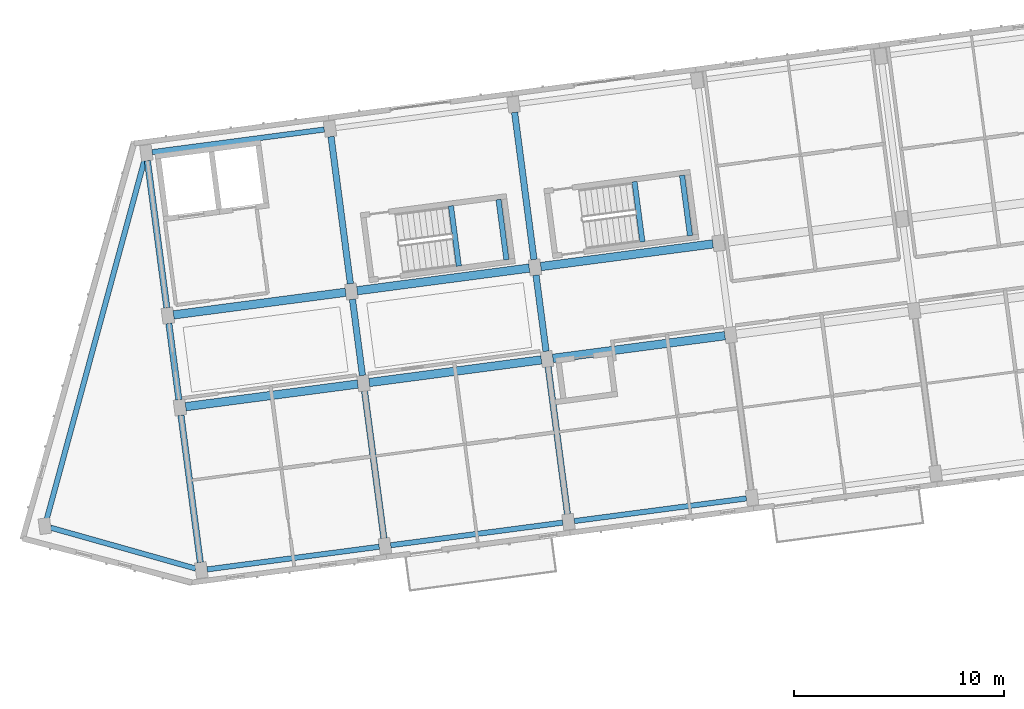
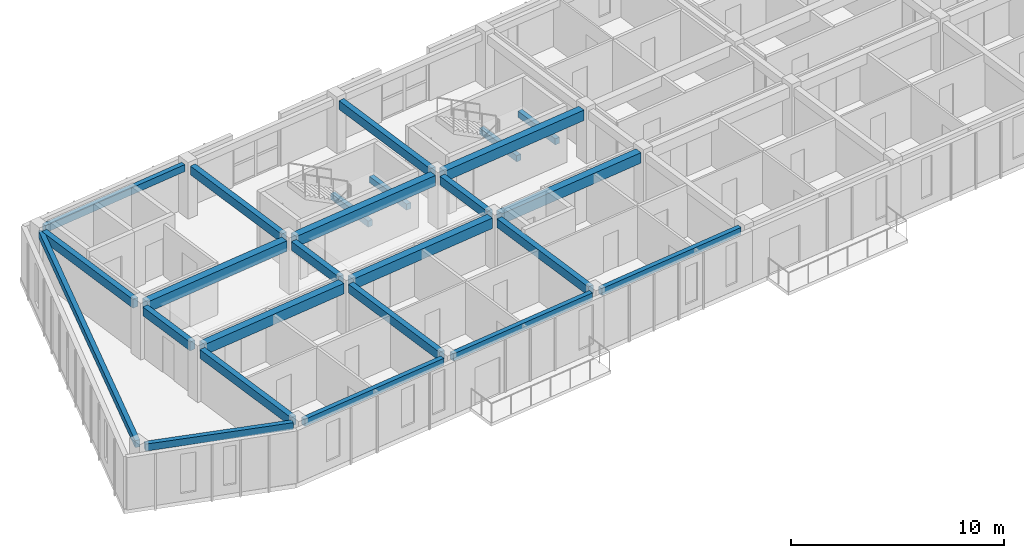
# One storey, part 3 of 64: 25 beams.
"""IFC4 building model written with IfcOpenShell, lengths in metres."""

from ifc_helpers import new_model, si_unit, direction, frame, origin, origin_2d, place, context, subcontext, project, spatial, rectangle, extrude, material, material_profile, profile_set, type_object, element, save


model = new_model("IFC4")

# Units and contexts
model_context = context("Model", 3, precision=1e-05, world=origin(), true_north=direction((0.0, 1.0)))
body_context = subcontext(model_context, "Body", "Model", "MODEL_VIEW")
ifc_project = project(units=[si_unit("LENGTHUNIT", "METRE"), si_unit("AREAUNIT", "SQUARE_METRE"), si_unit("VOLUMEUNIT", "CUBIC_METRE"), si_unit("PLANEANGLEUNIT", "RADIAN"), si_unit("MASSUNIT", "GRAM", prefix="KILO")], contexts=[model_context])

# Site, building, storey
site_placement = place(None, origin())
site = spatial("IfcSite", under=ifc_project, at=site_placement, CompositionType="ELEMENT")
building_placement = place(site_placement, origin())
building = spatial("IfcBuilding", under=site, at=building_placement, Name="Kestramere Prow Commons", CompositionType="ELEMENT")
storey_placement = place(building_placement, frame((0.0, 0.0, 24.64990234375)))
storey = spatial("IfcBuildingStorey", under=building, at=storey_placement, Name="L07", CompositionType="ELEMENT", Elevation=24.64990234375)

# Beams
ifc_material_1 = material(Name="Precast concrete C40/50", Category="concrete")
ifc_material_profile_1 = material_profile(ifc_material_1, rectangle(XDim=0.39990234375, YDim=0.60009765625, at=origin_2d()), Name="PC-BM 400x600")
ifc_profile_set_1 = profile_set([ifc_material_profile_1], Name="Precast concrete C40/50")
beam_type_1 = type_object("IfcBeamType", Name="BM-A1 PC-BM 400x600", PredefinedType="BEAM", material=ifc_profile_set_1)
for number, where, z_axis, x_axis, name in (
    (1, (10.45458984375, 79.76904296875, 2.7001953125), (0.991443917843, 0.130533358852, 0.0), (-0.130533358852, 0.991443917843, 0.0), "Block A L07 Longitudinal Beam 2-1"),
    (2, (19.17919921875, 80.917724609375, 2.7001953125), (0.991443917843, 0.130533358852, 0.0), (-0.130533358852, 0.991443917843, 0.0), "Block A L07 Longitudinal Beam 2-2"),
    (3, (27.904052734375, 82.06640625, 2.7001953125), (0.991443917843, 0.130533358852, 0.0), (-0.130533358852, 0.991443917843, 0.0), "Block A L07 Longitudinal Beam 2-3"),
    (4, (9.880126953125, 84.131591796875, 2.7001953125), (0.991447747213, 0.130504270221, 0.0), (-0.130504270221, 0.991447747213, 0.0), "Block A L07 Longitudinal Beam 3-1"),
    (5, (18.60498046875, 85.2802734375, 2.7001953125), (0.991447747213, 0.130504270221, 0.0), (-0.130504270221, 0.991447747213, 0.0), "Block A L07 Longitudinal Beam 3-2"),
    (6, (27.32958984375, 86.4287109375, 2.7001953125), (0.991443917843, 0.130533358852, 0.0), (-0.130533358852, 0.991443917843, 0.0), "Block A L07 Longitudinal Beam 3-3"),
):
    element("IfcBeam", number, at=place(storey_placement, frame(where, z_axis=z_axis, x_axis=x_axis)), inside=storey, type_object=beam_type_1, Name=name, PredefinedType="BEAM", context=body_context, shape_type="SweptSolid", body=[
        extrude(rectangle(XDim=0.39990234375, YDim=0.60009765625, at=origin_2d()), origin(), (0.0, 0.0, 1.0), 8.25),
    ])
ifc_material_2 = material(Name="Concrete C40/50", Category="concrete")
ifc_material_profile_2 = material_profile(ifc_material_2, rectangle(XDim=0.25, YDim=0.35009765625, at=origin_2d()), Name="PC-BM 250x350")
ifc_profile_set_2 = profile_set([ifc_material_profile_2], Name="Concrete C40/50")
beam_type_2 = type_object("IfcBeamType", Name="BM-ST-TRIM", PredefinedType="BEAM", material=ifc_profile_set_2)
for number, where, z_axis, x_axis, name in (
    (7, (23.4384765625, 86.451171875, 1.25), (-0.130520071219, 0.9914456672, 0.0), (-0.9914456672, -0.130520071219, 0.0), "ST-A1 L07 Landing Trimmer Beam 1A"),
    (8, (25.698974609375, 86.748779296875, 1.25), (-0.130520071219, 0.9914456672, 0.0), (-0.9914456672, -0.130520071219, 0.0), "ST-A1 L07 Landing Trimmer Beam 1B"),
):
    element("IfcBeam", number, at=place(storey_placement, frame(where, z_axis=z_axis, x_axis=x_axis)), inside=storey, type_object=beam_type_2, Name=name, PredefinedType="BEAM", context=body_context, shape_type="SweptSolid", body=[
        extrude(rectangle(XDim=0.25, YDim=0.35009765625, at=origin_2d()), origin(), (0.0, 0.0, 1.0), 2.889892578125),
    ])
for number, where, z_axis, x_axis, name in (
    (9, (32.1630859375, 87.599609375, 1.25), (-0.130509140242, 0.99144710616, 0.0), (-0.99144710616, -0.130509140242, 0.0), "ST-A2 L07 Landing Trimmer Beam 1A"),
    (10, (34.423583984375, 87.897216796875, 1.25), (-0.130509140242, 0.99144710616, 0.0), (-0.99144710616, -0.130509140242, 0.0), "ST-A2 L07 Landing Trimmer Beam 1B"),
):
    element("IfcBeam", number, at=place(storey_placement, frame(where, z_axis=z_axis, x_axis=x_axis)), inside=storey, type_object=beam_type_2, Name=name, PredefinedType="BEAM", context=body_context, shape_type="SweptSolid", body=[
        extrude(rectangle(XDim=0.25, YDim=0.35009765625, at=origin_2d()), origin(), (0.0, 0.0, 1.0), 2.89013671875),
    ])
ifc_material_profile_3 = material_profile(ifc_material_1, rectangle(XDim=0.300048828125, YDim=0.5, at=origin_2d()), Name="PC-BM 300x500")
ifc_profile_set_3 = profile_set([ifc_material_profile_3], Name="Precast concrete C40/50")
beam_type_3 = type_object("IfcBeamType", Name="BM-TIE-01 PC-BM 300x500", PredefinedType="BEAM", material=ifc_profile_set_3)
beam_1_placement = place(storey_placement, frame((11.151123046875, 72.371826171875, 2.75), z_axis=(-0.130519009654, 0.99144580695, 0.0), x_axis=(-0.99144580695, -0.130519009654, 0.0)))
element("IfcBeam", 11, at=beam_1_placement, inside=storey, type_object=beam_type_3, Name="Block A L07 Transverse Beam 1-1", PredefinedType="BEAM", context=body_context, shape_type="SweptSolid", body=[
    extrude(rectangle(XDim=0.300048828125, YDim=0.5, at=origin_2d()), origin(), (0.0, 0.0, 1.0), 7.050048828125),
])
beam_2_placement = place(storey_placement, frame((10.133056640625, 80.10498046875, 2.75), z_axis=(-0.13056005306, 0.991440402921, 0.0), x_axis=(-0.991440402921, -0.13056005306, 0.0)))
element("IfcBeam", 12, at=beam_2_placement, inside=storey, type_object=beam_type_3, Name="Block A L07 Transverse Beam 1-2", PredefinedType="BEAM", context=body_context, shape_type="SweptSolid", body=[
    extrude(rectangle(XDim=0.300048828125, YDim=0.5, at=origin_2d()), origin(), (0.0, 0.0, 1.0), 3.650146484375),
])
for number, where, z_axis, x_axis, name in (
    (13, (9.55859375, 84.467529296875, 2.75), (-0.130523490966, 0.991445216997, 0.0), (-0.991445216997, -0.130523490966, 0.0), "Block A L07 Transverse Beam 1-3"),
    (14, (19.875732421875, 73.5205078125, 2.75), (-0.130523490966, 0.991445216997, 0.0), (-0.991445216997, -0.130523490966, 0.0), "Block A L07 Transverse Beam 2-1"),
):
    element("IfcBeam", number, at=place(storey_placement, frame(where, z_axis=z_axis, x_axis=x_axis)), inside=storey, type_object=beam_type_3, Name=name, PredefinedType="BEAM", context=body_context, shape_type="SweptSolid", body=[
        extrude(rectangle(XDim=0.300048828125, YDim=0.5, at=origin_2d()), origin(), (0.0, 0.0, 1.0), 7.0498046875),
    ])
beam_3_placement = place(storey_placement, frame((18.857666015625, 81.253662109375, 2.75), z_axis=(-0.130494307047, 0.991449058615, 0.0), x_axis=(-0.991449058615, -0.130494307047, 0.0)))
element("IfcBeam", 15, at=beam_3_placement, inside=storey, type_object=beam_type_3, Name="Block A L07 Transverse Beam 2-2", PredefinedType="BEAM", context=body_context, shape_type="SweptSolid", body=[
    extrude(rectangle(XDim=0.300048828125, YDim=0.5, at=origin_2d()), origin(), (0.0, 0.0, 1.0), 3.650146484375),
])
for number, where, z_axis, x_axis, name in (
    (16, (18.283447265625, 85.615966796875, 2.75), (-0.130553049113, 0.991441325227, 0.0), (-0.991441325227, -0.130553049113, 0.0), "Block A L07 Transverse Beam 2-3"),
    (17, (28.6005859375, 74.6689453125, 2.75), (-0.130553049113, 0.991441325227, 0.0), (-0.991441325227, -0.130553049113, 0.0), "Block A L07 Transverse Beam 3-1"),
):
    element("IfcBeam", number, at=place(storey_placement, frame(where, z_axis=z_axis, x_axis=x_axis)), inside=storey, type_object=beam_type_3, Name=name, PredefinedType="BEAM", context=body_context, shape_type="SweptSolid", body=[
        extrude(rectangle(XDim=0.300048828125, YDim=0.5, at=origin_2d()), origin(), (0.0, 0.0, 1.0), 7.050048828125),
    ])
beam_4_placement = place(storey_placement, frame((27.582275390625, 82.40234375, 2.75), z_axis=(-0.130502961205, 0.991447919518, 0.0), x_axis=(-0.991447919518, -0.130502961205, 0.0)))
element("IfcBeam", 18, at=beam_4_placement, inside=storey, type_object=beam_type_3, Name="Block A L07 Transverse Beam 3-2", PredefinedType="BEAM", context=body_context, shape_type="SweptSolid", body=[
    extrude(rectangle(XDim=0.300048828125, YDim=0.5, at=origin_2d()), origin(), (0.0, 0.0, 1.0), 3.64990234375),
])
beam_5_placement = place(storey_placement, frame((27.008056640625, 86.7646484375, 2.75), z_axis=(-0.130519009654, 0.99144580695, 0.0), x_axis=(-0.99144580695, -0.130519009654, 0.0)))
element("IfcBeam", 19, at=beam_5_placement, inside=storey, type_object=beam_type_3, Name="Block A L07 Transverse Beam 3-3", PredefinedType="BEAM", context=body_context, shape_type="SweptSolid", body=[
    extrude(rectangle(XDim=0.300048828125, YDim=0.5, at=origin_2d()), origin(), (0.0, 0.0, 1.0), 7.050048828125),
])
ifc_material_profile_4 = material_profile(ifc_material_1, rectangle(XDim=0.25, YDim=0.39990234375, at=origin_2d()), Name="PC-SP 250x400")
ifc_profile_set_4 = profile_set([ifc_material_profile_4], Name="Precast concrete C40/50")
beam_type_4 = type_object("IfcBeamType", Name="SP-EXT-01 PC-SP 250x400", PredefinedType="SPANDREL", material=ifc_profile_set_4)
beam_6_placement = place(storey_placement, frame((10.930419921875, 72.075927734375, 2.800048828125), z_axis=(-0.96246176941, 0.271417284681, 0.0), x_axis=(-0.271417284681, -0.96246176941, 0.0)))
element("IfcBeam", 20, at=beam_6_placement, inside=storey, type_object=beam_type_4, Name="Block A L07 Prow Facet Beam S", PredefinedType="SPANDREL", context=body_context, shape_type="SweptSolid", body=[
    extrude(rectangle(XDim=0.25, YDim=0.39990234375, at=origin_2d()), origin(), (0.0, 0.0, 1.0), 7.167236328125),
])
beam_7_placement = place(storey_placement, frame((8.515869140625, 91.558837890625, 2.800048828125), z_axis=(-0.262653591278, -0.964890196338, 0.0), x_axis=(0.964890196338, -0.262653591278, 0.0)))
element("IfcBeam", 21, at=beam_7_placement, inside=storey, type_object=beam_type_4, Name="Block A L07 Prow Facet Beam N", PredefinedType="SPANDREL", context=body_context, shape_type="SweptSolid", body=[
    extrude(rectangle(XDim=0.25, YDim=0.39990234375, at=origin_2d()), origin(), (0.0, 0.0, 1.0), 17.81689453125),
])
for number, where, z_axis, x_axis, name in (
    (22, (11.47265625, 72.035888671875, 2.800048828125), (0.991443917843, 0.130533358852, 0.0), (-0.130533358852, 0.991443917843, 0.0), "Block A L07 Longitudinal Beam 1-1"),
    (23, (20.197265625, 73.1845703125, 2.800048828125), (0.991443917843, 0.130533358852, 0.0), (-0.130533358852, 0.991443917843, 0.0), "Block A L07 Longitudinal Beam 1-2"),
    (24, (28.922119140625, 74.333251953125, 2.800048828125), (0.991447747213, 0.130504270221, 0.0), (-0.130504270221, 0.991447747213, 0.0), "Block A L07 Longitudinal Beam 1-3"),
    (25, (8.862060546875, 91.86474609375, 2.800048828125), (0.991443917843, 0.130533358852, 0.0), (-0.130533358852, 0.991443917843, 0.0), "Block A L07 Longitudinal Beam 4-1"),
):
    element("IfcBeam", number, at=place(storey_placement, frame(where, z_axis=z_axis, x_axis=x_axis)), inside=storey, type_object=beam_type_4, Name=name, PredefinedType="SPANDREL", context=body_context, shape_type="SweptSolid", body=[
        extrude(rectangle(XDim=0.25, YDim=0.39990234375, at=origin_2d()), origin(), (0.0, 0.0, 1.0), 8.25),
    ])

save(model, "model.ifc")
